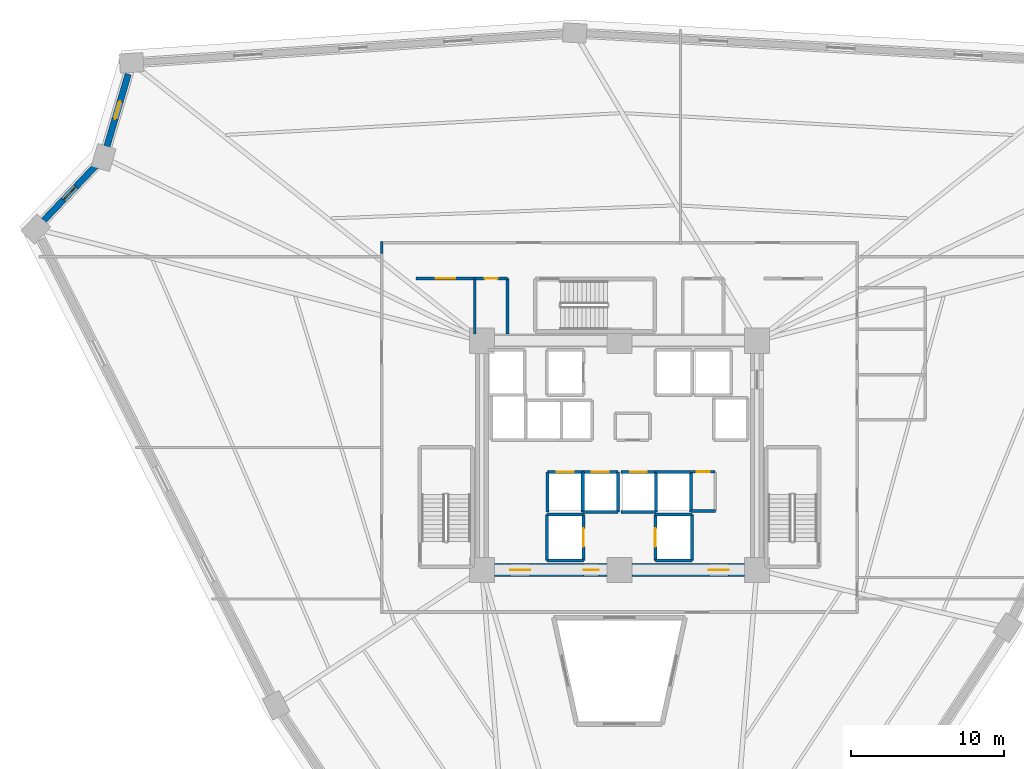
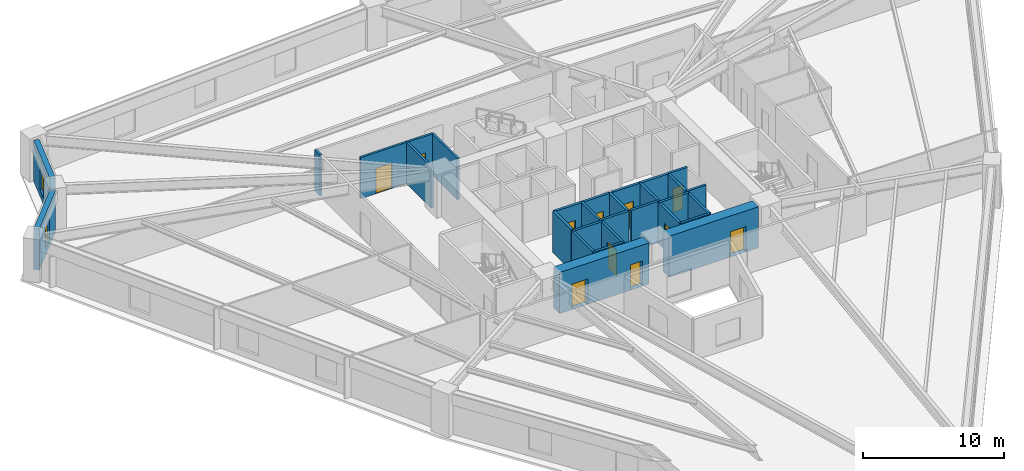
# One storey, part 4 of 8: 30 walls, 11 doors, 2 windows, 13 openings.
"""IFC4 building model written with IfcOpenShell, lengths in metres."""

from ifc_helpers import new_model, si_unit, direction, frame, frame_2d, origin, place, context, subcontext, project, spatial, rectangle, extrude, source, transform, mapped, material, layer, layer_set, type_object, element, fill, save


model = new_model("IFC4")

# Units and contexts
model_context = context("Model", 3, precision=1e-05, world=origin(), true_north=direction((0.0, 1.0)))
body_context = subcontext(model_context, "Body", "Model", "MODEL_VIEW")
ifc_project = project(units=[si_unit("LENGTHUNIT", "METRE"), si_unit("AREAUNIT", "SQUARE_METRE"), si_unit("VOLUMEUNIT", "CUBIC_METRE"), si_unit("PLANEANGLEUNIT", "RADIAN"), si_unit("MASSUNIT", "GRAM", prefix="KILO")], contexts=[model_context])

# Site, building, storey
site_placement = place(None, origin())
site = spatial("IfcSite", under=ifc_project, at=site_placement, CompositionType="ELEMENT")
building_placement = place(site_placement, origin())
building = spatial("IfcBuilding", under=site, at=building_placement, Name="Liaohun Quay Tower", CompositionType="ELEMENT")
storey_placement = place(building_placement, frame((0.0, 0.0, 63.0)))
storey = spatial("IfcBuildingStorey", under=building, at=storey_placement, Name="L16", CompositionType="ELEMENT", Elevation=63.0)

# Wall, opening, door
ifc_material_1 = material(Name="Concrete C60", Category="concrete")
ifc_layer_1 = layer(ifc_material_1, 0.85009765625, Name="Concrete C60", Category="concrete")
ifc_layer_set_1 = layer_set([ifc_layer_1], Name="Concrete C60")
wall_type_1 = type_object("IfcWallType", Name="WAL-COR-Z1", PredefinedType="SHEAR", material=ifc_layer_set_1)
wall_1_placement = place(storey_placement, frame((68.175048828125, 46.5, 0.0), z_axis=(0.0, 0.0, 1.0), x_axis=(-1.0, 0.0, 0.0)))
wall_1 = element("IfcWall", 1, at=wall_1_placement, inside=storey, type_object=wall_type_1, Name="L16 Central Core Shear Wall S-E", PredefinedType="SHEAR", context=body_context, shape_type="SweptSolid", body=[
    extrude(rectangle(XDim=7.35009765625, YDim=0.85009765625, at=frame_2d((3.675048828125, 0.0))), origin(), (0.0, 0.0, 1.0), 3.570068359375),
])
shared_shape_1 = source(origin(), body_context, "Body", "SweptSolid", [
    extrude(rectangle(XDim=1.300048828125, YDim=2.199951171875, at=frame_2d((0.64990234375, 1.10009765625))), frame((0.0, 0.43505859375, 0.0), z_axis=(0.0, -1.0, 0.0), x_axis=(1.0, 0.0, 0.0)), (0.0, 0.0, 1.0), 0.8701171875),
])
opening_1_placement = place(wall_1_placement, frame((1.02490234375, 0.0, 0.0)))
opening_1 = element("IfcOpeningElement", 2, at=opening_1_placement, cuts=wall_1, Name="Opening FD1", PredefinedType="OPENING", context=body_context, shape_type="MappedRepresentation", body=[
    mapped(shared_shape_1, transform((0.0, 0.0, 0.0), x_axis=(1.0, 0.0, 0.0), y_axis=(0.0, 1.0, 0.0), z_axis=(0.0, 0.0, 1.0), scale=1.0)),
])
ifc_material_2 = material(Name="Galvanised steel smokeproof fire door", Category="steel")
door_type_1 = type_object("IfcDoorType", Name="DOR-FFL-1300", OperationType="NOTDEFINED", PredefinedType="DOOR", material=ifc_material_2)
shared_shape_2 = source(origin(), body_context, "Body", "SweptSolid", [
    extrude(rectangle(XDim=1.300048828125, YDim=2.199951171875, at=frame_2d((0.64990234375, 1.10009765625))), frame((0.0, 0.02490234375, 0.0), z_axis=(0.0, -1.0, 0.0), x_axis=(1.0, 0.0, 0.0)), (0.0, 0.0, 1.0), 0.050048828125),
])
door_1_placement = place(opening_1_placement, origin())
door_1 = element("IfcDoor", 3, at=door_1_placement, inside=storey, type_object=door_type_1, Name="L16 East Core Lift Lobby Smokeproof Door", OperationType="SINGLE_SWING_LEFT", OverallHeight=2.199951171875, OverallWidth=1.300048828125, PredefinedType="DOOR", context=body_context, shape_type="MappedRepresentation", body=[
    mapped(shared_shape_2, transform((0.0, 0.0, 0.0), x_axis=(1.0, 0.0, 0.0), y_axis=(0.0, 1.0, 0.0), z_axis=(0.0, 0.0, 1.0), scale=1.0)),
])
fill(opening_1, door_1)

# Wall, openings, doors
wall_2_placement = place(storey_placement, frame((59.175048828125, 46.5, 0.0), z_axis=(0.0, 0.0, 1.0), x_axis=(-1.0, 0.0, 0.0)))
wall_2 = element("IfcWall", 4, at=wall_2_placement, inside=storey, type_object=wall_type_1, Name="L16 Central Core Shear Wall S-W", PredefinedType="SHEAR", context=body_context, shape_type="SweptSolid", body=[
    extrude(rectangle(XDim=7.35009765625, YDim=0.85009765625, at=frame_2d((3.675048828125, 0.0))), origin(), (0.0, 0.0, 1.0), 3.570068359375),
])
opening_2_placement = place(wall_2_placement, frame((5.02490234375, 0.0, 0.0)))
opening_2 = element("IfcOpeningElement", 5, at=opening_2_placement, cuts=wall_2, Name="Opening FD1", PredefinedType="OPENING", context=body_context, shape_type="MappedRepresentation", body=[
    mapped(shared_shape_1, transform((0.0, 0.0, 0.0), x_axis=(1.0, 0.0, 0.0), y_axis=(0.0, 1.0, 0.0), z_axis=(0.0, 0.0, 1.0), scale=1.0)),
])
shared_shape_3 = source(origin(), body_context, "Body", "SweptSolid", [
    extrude(rectangle(XDim=1.0, YDim=2.199951171875, at=frame_2d((0.5, 1.10009765625))), frame((0.0, 0.43505859375, 0.0), z_axis=(0.0, -1.0, 0.0), x_axis=(1.0, 0.0, 0.0)), (0.0, 0.0, 1.0), 0.8701171875),
])
opening_3_placement = place(wall_2_placement, frame((0.52490234375, 0.0, 0.0)))
opening_3 = element("IfcOpeningElement", 6, at=opening_3_placement, cuts=wall_2, Name="Opening FD2", PredefinedType="OPENING", context=body_context, shape_type="MappedRepresentation", body=[
    mapped(shared_shape_3, transform((0.0, 0.0, 0.0), x_axis=(1.0, 0.0, 0.0), y_axis=(0.0, 1.0, 0.0), z_axis=(0.0, 0.0, 1.0), scale=1.0)),
])
door_2_placement = place(opening_2_placement, origin())
door_2 = element("IfcDoor", 7, at=door_2_placement, inside=storey, type_object=door_type_1, Name="L16 West Core Lift Lobby Smokeproof Door", OperationType="SINGLE_SWING_RIGHT", OverallHeight=2.199951171875, OverallWidth=1.300048828125, PredefinedType="DOOR", context=body_context, shape_type="MappedRepresentation", body=[
    mapped(shared_shape_2, transform((0.0, 0.0, 0.0), x_axis=(1.0, 0.0, 0.0), y_axis=(0.0, 1.0, 0.0), z_axis=(0.0, 0.0, 1.0), scale=1.0)),
])
fill(opening_2, door_2)
ifc_material_3 = material(Name="Galvanised steel smokeproof lobby fire door", Category="steel")
door_type_2 = type_object("IfcDoorType", Name="DOR-FFL-1000", OperationType="NOTDEFINED", PredefinedType="DOOR", material=ifc_material_3)
shared_shape_4 = source(origin(), body_context, "Body", "SweptSolid", [
    extrude(rectangle(XDim=1.0, YDim=2.199951171875, at=frame_2d((0.5, 1.10009765625))), frame((0.0, 0.02490234375, 0.0), z_axis=(0.0, -1.0, 0.0), x_axis=(1.0, 0.0, 0.0)), (0.0, 0.0, 1.0), 0.050048828125),
])
door_3_placement = place(opening_3_placement, origin())
door_3 = element("IfcDoor", 8, at=door_3_placement, inside=storey, type_object=door_type_2, Name="L16 South Firefighting Lobby Smokeproof Door", OperationType="SINGLE_SWING_LEFT", OverallHeight=2.199951171875, OverallWidth=1.0, PredefinedType="DOOR", context=body_context, shape_type="MappedRepresentation", body=[
    mapped(shared_shape_4, transform((0.0, 0.0, 0.0), x_axis=(1.0, 0.0, 0.0), y_axis=(0.0, 1.0, 0.0), z_axis=(0.0, 0.0, 1.0), scale=1.0)),
])
fill(opening_3, door_3)

# Wall, opening, window
ifc_material_4 = material(Name="Precast concrete C50 insulated sandwich", Category="concrete")
ifc_layer_2 = layer(ifc_material_4, 0.419921875, Name="Precast concrete C50 insulated sandwich", Category="concrete")
ifc_layer_set_2 = layer_set([ifc_layer_2], Name="Precast concrete C50 insulated sandwich")
wall_type_2 = type_object("IfcWallType", Name="WAL-EXT-Z12", PredefinedType="SOLIDWALL", material=ifc_layer_set_2)
wall_3_placement = place(storey_placement, frame((27.85205078125, 78.950927734375, 0.0), z_axis=(0.0, 0.0, 1.0), x_axis=(-0.282877012636, -0.95915618943, 0.0)))
wall_3 = element("IfcWall", 9, at=wall_3_placement, inside=storey, type_object=wall_type_2, Name="L16 Brutalist Precast Pier Wall 08", PredefinedType="SOLIDWALL", context=body_context, shape_type="SweptSolid", body=[
    extrude(rectangle(XDim=4.927978515625, YDim=0.419921875, at=frame_2d((2.4638671875, 0.0))), origin(), (0.0, 0.0, 1.0), 3.570068359375),
])
shared_shape_5 = source(origin(), body_context, "Body", "SweptSolid", [
    extrude(rectangle(XDim=1.199951171875, YDim=1.89990234375, at=frame_2d((0.60009765625, 0.949951171875))), frame((0.0, 0.219970703125, 0.0), z_axis=(0.0, -1.0, 0.0), x_axis=(1.0, 0.0, 0.0)), (0.0, 0.0, 1.0), 0.43994140625),
])
opening_4_placement = place(wall_3_placement, frame((1.864013671875, 0.0, 0.550048828125)))
opening_4 = element("IfcOpeningElement", 10, at=opening_4_placement, cuts=wall_3, Name="Opening W05", PredefinedType="OPENING", context=body_context, shape_type="MappedRepresentation", body=[
    mapped(shared_shape_5, transform((0.0, 0.0, 0.0), x_axis=(1.0, 0.0, 0.0), y_axis=(0.0, 1.0, 0.0), z_axis=(0.0, 0.0, 1.0), scale=1.0)),
])
ifc_material_5 = material(Name="Triple Low-E corner notch glazing", Category="glass")
window_type = type_object("IfcWindowType", Name="WIN-NOTCH", PartitioningType="SINGLE_PANEL", PredefinedType="WINDOW", material=ifc_material_5)
shared_shape_6 = source(origin(), body_context, "Body", "SweptSolid", [
    extrude(rectangle(XDim=1.199951171875, YDim=1.89990234375, at=frame_2d((0.60009765625, 0.949951171875))), frame((0.0, 0.030029296875, 0.0), z_axis=(0.0, -1.0, 0.0), x_axis=(1.0, 0.0, 0.0)), (0.0, 0.0, 1.0), 0.06005859375),
])
window_1_placement = place(opening_4_placement, origin())
window_1 = element("IfcWindow", 11, at=window_1_placement, inside=storey, type_object=window_type, Name="L16 Corner Notch Window W05-08", OverallHeight=1.89990234375, OverallWidth=1.199951171875, PartitioningType="SINGLE_PANEL", PredefinedType="WINDOW", context=body_context, shape_type="MappedRepresentation", body=[
    mapped(shared_shape_6, transform((0.0, 0.0, 0.0), x_axis=(1.0, 0.0, 0.0), y_axis=(0.0, 1.0, 0.0), z_axis=(0.0, 0.0, 1.0), scale=1.0)),
])
fill(opening_4, window_1)

wall_4_placement = place(storey_placement, frame((25.715087890625, 72.93603515625, 0.0), z_axis=(0.0, 0.0, 1.0), x_axis=(-0.689226469502, -0.724545977656, 0.0)))
wall_4 = element("IfcWall", 12, at=wall_4_placement, inside=storey, type_object=wall_type_2, Name="L16 Brutalist Precast Pier Wall 09", PredefinedType="SOLIDWALL", context=body_context, shape_type="SweptSolid", body=[
    extrude(rectangle(XDim=4.921630859375, YDim=0.419921875, at=frame_2d((2.4609375, 0.0))), origin(), (0.0, 0.0, 1.0), 3.570068359375),
])
opening_5_placement = place(wall_4_placement, frame((1.861083984375, 0.0, 0.550048828125)))
opening_5 = element("IfcOpeningElement", 13, at=opening_5_placement, cuts=wall_4, Name="Opening W05", PredefinedType="OPENING", context=body_context, shape_type="MappedRepresentation", body=[
    mapped(shared_shape_5, transform((0.0, 0.0, 0.0), x_axis=(1.0, 0.0, 0.0), y_axis=(0.0, 1.0, 0.0), z_axis=(0.0, 0.0, 1.0), scale=1.0)),
])
window_2_placement = place(opening_5_placement, origin())
window_2 = element("IfcWindow", 14, at=window_2_placement, inside=storey, type_object=window_type, Name="L16 Corner Notch Window W05-09", OverallHeight=1.89990234375, OverallWidth=1.199951171875, PartitioningType="SINGLE_PANEL", PredefinedType="WINDOW", context=body_context, shape_type="MappedRepresentation", body=[
    mapped(shared_shape_6, transform((0.0, 0.0, 0.0), x_axis=(1.0, 0.0, 0.0), y_axis=(0.0, 1.0, 0.0), z_axis=(0.0, 0.0, 1.0), scale=1.0)),
])
fill(opening_5, window_2)

# Wall, opening, door
ifc_material_6 = material(Name="Autoclaved aerated concrete blockwork", Category="masonry")
ifc_layer_3 = layer(ifc_material_6, 0.179931640625, Name="Autoclaved aerated concrete blockwork", Category="masonry")
ifc_layer_set_3 = layer_set([ifc_layer_3], Name="Autoclaved aerated concrete blockwork")
wall_type_3 = type_object("IfcWallType", Name="WAL-PRT-COR", PredefinedType="PARTITIONING", material=ifc_layer_set_3)
wall_5_placement = place(storey_placement, frame((64.719970703125, 52.919921875, 0.0), z_axis=(0.0, 0.0, 1.0), x_axis=(1.0, 0.0, 0.0)))
wall_5 = element("IfcWall", 15, at=wall_5_placement, inside=storey, type_object=wall_type_3, Name="L16 Interior Partition Wall 002", PredefinedType="PARTITIONING", context=body_context, shape_type="SweptSolid", body=[
    extrude(rectangle(XDim=1.530029296875, YDim=0.179931640625, at=frame_2d((0.76513671875, 0.0))), origin(), (0.0, 0.0, 1.0), 3.570068359375),
])
shared_shape_7 = source(origin(), body_context, "Body", "SweptSolid", [
    extrude(rectangle(XDim=0.85009765625, YDim=2.10009765625, at=frame_2d((0.425048828125, 1.050048828125))), frame((0.0, 0.099853515625, 0.0), z_axis=(0.0, -1.0, 0.0), x_axis=(1.0, 0.0, 0.0)), (0.0, 0.0, 1.0), 0.199951171875),
])
opening_6_placement = place(wall_5_placement, frame((0.340087890625, 0.0, 0.0)))
opening_6 = element("IfcOpeningElement", 16, at=opening_6_placement, cuts=wall_5, Name="Opening AD1", PredefinedType="OPENING", context=body_context, shape_type="MappedRepresentation", body=[
    mapped(shared_shape_7, transform((0.0, 0.0, 0.0), x_axis=(1.0, 0.0, 0.0), y_axis=(0.0, 1.0, 0.0), z_axis=(0.0, 0.0, 1.0), scale=1.0)),
])
ifc_material_7 = material(Name="Steel riser inspection fire door", Category="steel")
door_type_3 = type_object("IfcDoorType", Name="DOR-SHF-850", OperationType="NOTDEFINED", PredefinedType="DOOR", material=ifc_material_7)
shared_shape_8 = source(origin(), body_context, "Body", "SweptSolid", [
    extrude(rectangle(XDim=0.85009765625, YDim=2.10009765625, at=frame_2d((0.425048828125, 1.050048828125))), frame((0.0, 0.02490234375, 0.0), z_axis=(0.0, -1.0, 0.0), x_axis=(1.0, 0.0, 0.0)), (0.0, 0.0, 1.0), 0.050048828125),
])
door_4_placement = place(opening_6_placement, origin())
door_4 = element("IfcDoor", 17, at=door_4_placement, inside=storey, type_object=door_type_3, Name="L16 BMS Data Riser Room Door", OperationType="SINGLE_SWING_RIGHT", OverallHeight=2.10009765625, OverallWidth=0.85009765625, PredefinedType="DOOR", context=body_context, shape_type="MappedRepresentation", body=[
    mapped(shared_shape_8, transform((0.0, 0.0, 0.0), x_axis=(1.0, 0.0, 0.0), y_axis=(0.0, 1.0, 0.0), z_axis=(0.0, 0.0, 1.0), scale=1.0)),
])
fill(opening_6, door_4)

wall_6_placement = place(storey_placement, frame((50.5400390625, 65.580078125, 0.0), z_axis=(0.0, 0.0, 1.0), x_axis=(1.0, 0.0, 0.0)))
wall_6 = element("IfcWall", 18, at=wall_6_placement, inside=storey, type_object=wall_type_3, Name="L16 Interior Partition Wall 006", PredefinedType="PARTITIONING", context=body_context, shape_type="SweptSolid", body=[
    extrude(rectangle(XDim=2.139892578125, YDim=0.179931640625, at=frame_2d((1.06982421875, 0.0))), origin(), (0.0, 0.0, 1.0), 3.570068359375),
])
opening_7_placement = place(wall_6_placement, frame((0.64501953125, 0.0, 0.0)))
opening_7 = element("IfcOpeningElement", 19, at=opening_7_placement, cuts=wall_6, Name="Opening AD1", PredefinedType="OPENING", context=body_context, shape_type="MappedRepresentation", body=[
    mapped(shared_shape_7, transform((0.0, 0.0, 0.0), x_axis=(1.0, 0.0, 0.0), y_axis=(0.0, 1.0, 0.0), z_axis=(0.0, 0.0, 1.0), scale=1.0)),
])
door_5_placement = place(opening_7_placement, origin())
door_5 = element("IfcDoor", 20, at=door_5_placement, inside=storey, type_object=door_type_3, Name="L16 North-West Supply Store Door", OperationType="SINGLE_SWING_RIGHT", OverallHeight=2.10009765625, OverallWidth=0.85009765625, PredefinedType="DOOR", context=body_context, shape_type="MappedRepresentation", body=[
    mapped(shared_shape_8, transform((0.0, 0.0, 0.0), x_axis=(1.0, 0.0, 0.0), y_axis=(0.0, 1.0, 0.0), z_axis=(0.0, 0.0, 1.0), scale=1.0)),
])
fill(opening_7, door_5)

wall_7_placement = place(storey_placement, frame((46.699951171875, 65.580078125, 0.0), z_axis=(0.0, 0.0, 1.0), x_axis=(1.0, 0.0, 0.0)))
wall_7 = element("IfcWall", 21, at=wall_7_placement, inside=storey, type_object=wall_type_3, Name="L16 Interior Partition Wall 008", PredefinedType="PARTITIONING", context=body_context, shape_type="SweptSolid", body=[
    extrude(rectangle(XDim=3.840087890625, YDim=0.179931640625, at=frame_2d((1.919921875, 0.0))), origin(), (0.0, 0.0, 1.0), 3.570068359375),
])
shared_shape_9 = source(origin(), body_context, "Body", "SweptSolid", [
    extrude(rectangle(XDim=1.300048828125, YDim=2.199951171875, at=frame_2d((0.64990234375, 1.10009765625))), frame((0.0, 0.099853515625, 0.0), z_axis=(0.0, -1.0, 0.0), x_axis=(1.0, 0.0, 0.0)), (0.0, 0.0, 1.0), 0.199951171875),
])
opening_8_placement = place(wall_7_placement, frame((1.27001953125, 0.0, 0.0)))
opening_8 = element("IfcOpeningElement", 22, at=opening_8_placement, cuts=wall_7, Name="Opening FD1", PredefinedType="OPENING", context=body_context, shape_type="MappedRepresentation", body=[
    mapped(shared_shape_9, transform((0.0, 0.0, 0.0), x_axis=(1.0, 0.0, 0.0), y_axis=(0.0, 1.0, 0.0), z_axis=(0.0, 0.0, 1.0), scale=1.0)),
])
door_6_placement = place(opening_8_placement, origin())
door_6 = element("IfcDoor", 23, at=door_6_placement, inside=storey, type_object=door_type_1, Name="L16 West Core Vestibule Door", OperationType="SINGLE_SWING_RIGHT", OverallHeight=2.199951171875, OverallWidth=1.300048828125, PredefinedType="DOOR", context=body_context, shape_type="MappedRepresentation", body=[
    mapped(shared_shape_2, transform((0.0, 0.0, 0.0), x_axis=(1.0, 0.0, 0.0), y_axis=(0.0, 1.0, 0.0), z_axis=(0.0, 0.0, 1.0), scale=1.0)),
])
fill(opening_8, door_6)

# Walls
wall_8_placement = place(storey_placement, frame((64.68994140625, 50.35009765625, 0.0), z_axis=(0.0, 0.0, 1.0), x_axis=(1.0, 0.0, 0.0)))
element("IfcWall", 24, at=wall_8_placement, inside=storey, type_object=wall_type_3, Name="L16 Interior Partition Wall 020", PredefinedType="PARTITIONING", context=body_context, shape_type="SweptSolid", body=[
    extrude(rectangle(XDim=1.590087890625, YDim=0.179931640625, at=frame_2d((0.794921875, 0.0))), origin(), (0.0, 0.0, 1.0), 3.570068359375),
])
for number, where, z_axis, x_axis, name in (
    (25, (50.5400390625, 61.949951171875, 0.0), (0.0, 0.0, 1.0), (0.0, 1.0, 0.0), "L16 Interior Partition Wall 027"),
    (26, (52.679931640625, 61.949951171875, 0.0), (0.0, 0.0, 1.0), (0.0, 1.0, 0.0), "L16 Interior Partition Wall 028"),
):
    element("IfcWall", number, at=place(storey_placement, frame(where, z_axis=z_axis, x_axis=x_axis)), inside=storey, type_object=wall_type_3, Name=name, PredefinedType="PARTITIONING", context=body_context, shape_type="SweptSolid", body=[
        extrude(rectangle(XDim=3.630126953125, YDim=0.179931640625, at=frame_2d((1.81494140625, 0.0))), origin(), (0.0, 0.0, 1.0), 3.570068359375),
    ])
wall_9_placement = place(storey_placement, frame((44.43994140625, 67.215087890625, 0.0), z_axis=(0.0, 0.0, 1.0), x_axis=(0.0, 1.0, 0.0)))
element("IfcWall", 27, at=wall_9_placement, inside=storey, type_object=wall_type_3, Name="L16 Interior Partition Wall 033", PredefinedType="PARTITIONING", context=body_context, shape_type="SweptSolid", body=[
    extrude(rectangle(XDim=0.764892578125, YDim=0.179931640625, at=frame_2d((0.38232421875, 0.0))), origin(), (0.0, 0.0, 1.0), 3.570068359375),
])
ifc_material_8 = material(Name="Concrete C50", Category="concrete")
ifc_layer_4 = layer(ifc_material_8, 0.239990234375, Name="Concrete C50", Category="concrete")
ifc_layer_set_4 = layer_set([ifc_layer_4], Name="Concrete C50")
wall_type_4 = type_object("IfcWallType", Name="WAL-SHF-200", PredefinedType="SOLIDWALL", material=ifc_layer_set_4)
wall_10_placement = place(storey_placement, frame((55.25, 47.1201171875, 0.0), z_axis=(0.0, 0.0, 1.0), x_axis=(1.0, 0.0, 0.0)))
element("IfcWall", 28, at=wall_10_placement, inside=storey, type_object=wall_type_4, Name="L16 Lift FF-01 Hoistway Wall S", PredefinedType="SOLIDWALL", context=body_context, shape_type="SweptSolid", body=[
    extrude(rectangle(XDim=2.39990234375, YDim=0.199951171875, at=frame_2d((1.199951171875, 0.0))), origin(), (0.0, 0.0, 1.0), 3.570068359375),
])

# Wall, opening, door
wall_11_placement = place(storey_placement, frame((57.64990234375, 47.1201171875, 0.0), z_axis=(0.0, 0.0, 1.0), x_axis=(0.0, 1.0, 0.0)))
wall_11 = element("IfcWall", 29, at=wall_11_placement, inside=storey, type_object=wall_type_4, Name="L16 Lift FF-01 Hoistway Wall E", PredefinedType="SOLIDWALL", context=body_context, shape_type="SweptSolid", body=[
    extrude(rectangle(XDim=3.0, YDim=0.199951171875, at=frame_2d((1.5, 0.0))), origin(), (0.0, 0.0, 1.0), 3.570068359375),
])
shared_shape_10 = source(origin(), body_context, "Body", "SweptSolid", [
    extrude(rectangle(XDim=1.199951171875, YDim=2.300048828125, at=frame_2d((0.60009765625, 1.14990234375))), frame((0.0, 0.10986328125, 0.0), z_axis=(0.0, -1.0, 0.0), x_axis=(1.0, 0.0, 0.0)), (0.0, 0.0, 1.0), 0.219970703125),
])
opening_9_placement = place(wall_11_placement, frame((0.89990234375, 0.0, 0.0)))
opening_9 = element("IfcOpeningElement", 30, at=opening_9_placement, cuts=wall_11, Name="Opening LD2", PredefinedType="OPENING", context=body_context, shape_type="MappedRepresentation", body=[
    mapped(shared_shape_10, transform((0.0, 0.0, 0.0), x_axis=(1.0, 0.0, 0.0), y_axis=(0.0, 1.0, 0.0), z_axis=(0.0, 0.0, 1.0), scale=1.0)),
])
ifc_material_9 = material(Name="Brushed stainless steel stretcher landing door", Category="steel")
door_type_4 = type_object("IfcDoorType", Name="DOR-LFT-1200", OperationType="SLIDING_TO_LEFT", PredefinedType="DOOR", material=ifc_material_9)
shared_shape_11 = source(origin(), body_context, "Body", "SweptSolid", [
    extrude(rectangle(XDim=1.199951171875, YDim=2.300048828125, at=frame_2d((0.60009765625, 1.14990234375))), frame((0.0, 0.02490234375, 0.0), z_axis=(0.0, -1.0, 0.0), x_axis=(1.0, 0.0, 0.0)), (0.0, 0.0, 1.0), 0.050048828125),
])
door_7_placement = place(opening_9_placement, origin())
door_7 = element("IfcDoor", 31, at=door_7_placement, inside=storey, type_object=door_type_4, Name="L16 Lift FF-01 Sliding Landing Door", OperationType="SLIDING_TO_LEFT", OverallHeight=2.300048828125, OverallWidth=1.199951171875, PredefinedType="DOOR", context=body_context, shape_type="MappedRepresentation", body=[
    mapped(shared_shape_11, transform((0.0, 0.0, 0.0), x_axis=(1.0, 0.0, 0.0), y_axis=(0.0, 1.0, 0.0), z_axis=(0.0, 0.0, 1.0), scale=1.0)),
])
fill(opening_9, door_7)

# Walls
wall_12_placement = place(storey_placement, frame((57.64990234375, 50.1201171875, 0.0), z_axis=(0.0, 0.0, 1.0), x_axis=(-1.0, 0.0, 0.0)))
element("IfcWall", 32, at=wall_12_placement, inside=storey, type_object=wall_type_4, Name="L16 Lift FF-01 Hoistway Wall N", PredefinedType="SOLIDWALL", context=body_context, shape_type="SweptSolid", body=[
    extrude(rectangle(XDim=2.39990234375, YDim=0.199951171875, at=frame_2d((1.199951171875, 0.0))), origin(), (0.0, 0.0, 1.0), 3.570068359375),
])
wall_13_placement = place(storey_placement, frame((55.25, 50.1201171875, 0.0), z_axis=(0.0, 0.0, 1.0), x_axis=(0.0, -1.0, 0.0)))
element("IfcWall", 33, at=wall_13_placement, inside=storey, type_object=wall_type_4, Name="L16 Lift FF-01 Hoistway Wall W", PredefinedType="SOLIDWALL", context=body_context, shape_type="SweptSolid", body=[
    extrude(rectangle(XDim=3.0, YDim=0.199951171875, at=frame_2d((1.5, 0.0))), origin(), (0.0, 0.0, 1.0), 3.570068359375),
])
wall_14_placement = place(storey_placement, frame((62.35009765625, 47.1201171875, 0.0), z_axis=(0.0, 0.0, 1.0), x_axis=(1.0, 0.0, 0.0)))
element("IfcWall", 34, at=wall_14_placement, inside=storey, type_object=wall_type_4, Name="L16 Lift FF-02 Hoistway Wall S", PredefinedType="SOLIDWALL", context=body_context, shape_type="SweptSolid", body=[
    extrude(rectangle(XDim=2.39990234375, YDim=0.199951171875, at=frame_2d((1.199951171875, 0.0))), origin(), (0.0, 0.0, 1.0), 3.570068359375),
])
wall_15_placement = place(storey_placement, frame((64.75, 47.1201171875, 0.0), z_axis=(0.0, 0.0, 1.0), x_axis=(0.0, 1.0, 0.0)))
element("IfcWall", 35, at=wall_15_placement, inside=storey, type_object=wall_type_4, Name="L16 Lift FF-02 Hoistway Wall E", PredefinedType="SOLIDWALL", context=body_context, shape_type="SweptSolid", body=[
    extrude(rectangle(XDim=3.0, YDim=0.199951171875, at=frame_2d((1.5, 0.0))), origin(), (0.0, 0.0, 1.0), 3.570068359375),
])
wall_16_placement = place(storey_placement, frame((64.75, 50.1201171875, 0.0), z_axis=(0.0, 0.0, 1.0), x_axis=(-1.0, 0.0, 0.0)))
element("IfcWall", 36, at=wall_16_placement, inside=storey, type_object=wall_type_4, Name="L16 Lift FF-02 Hoistway Wall N", PredefinedType="SOLIDWALL", context=body_context, shape_type="SweptSolid", body=[
    extrude(rectangle(XDim=2.39990234375, YDim=0.199951171875, at=frame_2d((1.199951171875, 0.0))), origin(), (0.0, 0.0, 1.0), 3.570068359375),
])

# Wall, opening, door
wall_17_placement = place(storey_placement, frame((62.35009765625, 50.1201171875, 0.0), z_axis=(0.0, 0.0, 1.0), x_axis=(0.0, -1.0, 0.0)))
wall_17 = element("IfcWall", 37, at=wall_17_placement, inside=storey, type_object=wall_type_4, Name="L16 Lift FF-02 Hoistway Wall W", PredefinedType="SOLIDWALL", context=body_context, shape_type="SweptSolid", body=[
    extrude(rectangle(XDim=3.0, YDim=0.199951171875, at=frame_2d((1.5, 0.0))), origin(), (0.0, 0.0, 1.0), 3.570068359375),
])
opening_10_placement = place(wall_17_placement, frame((0.89990234375, 0.0, 0.0)))
opening_10 = element("IfcOpeningElement", 38, at=opening_10_placement, cuts=wall_17, Name="Opening LD2", PredefinedType="OPENING", context=body_context, shape_type="MappedRepresentation", body=[
    mapped(shared_shape_10, transform((0.0, 0.0, 0.0), x_axis=(1.0, 0.0, 0.0), y_axis=(0.0, 1.0, 0.0), z_axis=(0.0, 0.0, 1.0), scale=1.0)),
])
door_8_placement = place(opening_10_placement, origin())
door_8 = element("IfcDoor", 39, at=door_8_placement, inside=storey, type_object=door_type_4, Name="L16 Lift FF-02 Sliding Landing Door", OperationType="SLIDING_TO_LEFT", OverallHeight=2.300048828125, OverallWidth=1.199951171875, PredefinedType="DOOR", context=body_context, shape_type="MappedRepresentation", body=[
    mapped(shared_shape_11, transform((0.0, 0.0, 0.0), x_axis=(1.0, 0.0, 0.0), y_axis=(0.0, 1.0, 0.0), z_axis=(0.0, 0.0, 1.0), scale=1.0)),
])
fill(opening_10, door_8)

# Wall
wall_18_placement = place(storey_placement, frame((57.60009765625, 50.300048828125, 0.0), z_axis=(0.0, 0.0, 1.0), x_axis=(0.0, 1.0, 0.0)))
element("IfcWall", 40, at=wall_18_placement, inside=storey, type_object=wall_type_4, Name="L16 Lift PL-1A Hoistway Wall E", PredefinedType="SOLIDWALL", context=body_context, shape_type="SweptSolid", body=[
    extrude(rectangle(XDim=2.599853515625, YDim=0.199951171875, at=frame_2d((1.2998046875, 0.0))), origin(), (0.0, 0.0, 1.0), 3.570068359375),
])

# Wall, opening, door
wall_19_placement = place(storey_placement, frame((57.60009765625, 52.89990234375, 0.0), z_axis=(0.0, 0.0, 1.0), x_axis=(-1.0, 0.0, 0.0)))
wall_19 = element("IfcWall", 41, at=wall_19_placement, inside=storey, type_object=wall_type_4, Name="L16 Lift PL-1A Hoistway Wall N", PredefinedType="SOLIDWALL", context=body_context, shape_type="SweptSolid", body=[
    extrude(rectangle(XDim=2.300048828125, YDim=0.199951171875, at=frame_2d((1.14990234375, 0.0))), origin(), (0.0, 0.0, 1.0), 3.570068359375),
])
shared_shape_12 = source(origin(), body_context, "Body", "SweptSolid", [
    extrude(rectangle(XDim=1.10009765625, YDim=2.199951171875, at=frame_2d((0.550048828125, 1.10009765625))), frame((0.0, 0.10986328125, 0.0), z_axis=(0.0, -1.0, 0.0), x_axis=(1.0, 0.0, 0.0)), (0.0, 0.0, 1.0), 0.219970703125),
])
opening_11_placement = place(wall_19_placement, frame((0.60009765625, 0.0, 0.0)))
opening_11 = element("IfcOpeningElement", 42, at=opening_11_placement, cuts=wall_19, Name="Opening LD1", PredefinedType="OPENING", context=body_context, shape_type="MappedRepresentation", body=[
    mapped(shared_shape_12, transform((0.0, 0.0, 0.0), x_axis=(1.0, 0.0, 0.0), y_axis=(0.0, 1.0, 0.0), z_axis=(0.0, 0.0, 1.0), scale=1.0)),
])
ifc_material_10 = material(Name="Brushed stainless steel landing door", Category="steel")
door_type_5 = type_object("IfcDoorType", Name="DOR-LFT-1100", OperationType="SLIDING_TO_LEFT", PredefinedType="DOOR", material=ifc_material_10)
shared_shape_13 = source(origin(), body_context, "Body", "SweptSolid", [
    extrude(rectangle(XDim=1.10009765625, YDim=2.199951171875, at=frame_2d((0.550048828125, 1.10009765625))), frame((0.0, 0.02490234375, 0.0), z_axis=(0.0, -1.0, 0.0), x_axis=(1.0, 0.0, 0.0)), (0.0, 0.0, 1.0), 0.050048828125),
])
door_9_placement = place(opening_11_placement, origin())
door_9 = element("IfcDoor", 43, at=door_9_placement, inside=storey, type_object=door_type_5, Name="L16 Lift PL-1A Sliding Landing Door", OperationType="SLIDING_TO_LEFT", OverallHeight=2.199951171875, OverallWidth=1.10009765625, PredefinedType="DOOR", context=body_context, shape_type="MappedRepresentation", body=[
    mapped(shared_shape_13, transform((0.0, 0.0, 0.0), x_axis=(1.0, 0.0, 0.0), y_axis=(0.0, 1.0, 0.0), z_axis=(0.0, 0.0, 1.0), scale=1.0)),
])
fill(opening_11, door_9)

# Walls
wall_20_placement = place(storey_placement, frame((55.300048828125, 52.89990234375, 0.0), z_axis=(0.0, 0.0, 1.0), x_axis=(0.0, -1.0, 0.0)))
element("IfcWall", 44, at=wall_20_placement, inside=storey, type_object=wall_type_4, Name="L16 Lift PL-1A Hoistway Wall W", PredefinedType="SOLIDWALL", context=body_context, shape_type="SweptSolid", body=[
    extrude(rectangle(XDim=2.599853515625, YDim=0.199951171875, at=frame_2d((1.2998046875, 0.0))), origin(), (0.0, 0.0, 1.0), 3.570068359375),
])
wall_21_placement = place(storey_placement, frame((57.60009765625, 50.300048828125, 0.0), z_axis=(0.0, 0.0, 1.0), x_axis=(1.0, 0.0, 0.0)))
element("IfcWall", 45, at=wall_21_placement, inside=storey, type_object=wall_type_4, Name="L16 Lift PL-1B Hoistway Wall S", PredefinedType="SOLIDWALL", context=body_context, shape_type="SweptSolid", body=[
    extrude(rectangle(XDim=2.2998046875, YDim=0.199951171875, at=frame_2d((1.14990234375, 0.0))), origin(), (0.0, 0.0, 1.0), 3.570068359375),
])
wall_22_placement = place(storey_placement, frame((59.89990234375, 50.300048828125, 0.0), z_axis=(0.0, 0.0, 1.0), x_axis=(0.0, 1.0, 0.0)))
element("IfcWall", 46, at=wall_22_placement, inside=storey, type_object=wall_type_4, Name="L16 Lift PL-1B Hoistway Wall E", PredefinedType="SOLIDWALL", context=body_context, shape_type="SweptSolid", body=[
    extrude(rectangle(XDim=2.599853515625, YDim=0.199951171875, at=frame_2d((1.2998046875, 0.0))), origin(), (0.0, 0.0, 1.0), 3.570068359375),
])

# Wall, opening, door
wall_23_placement = place(storey_placement, frame((59.89990234375, 52.89990234375, 0.0), z_axis=(0.0, 0.0, 1.0), x_axis=(-1.0, 0.0, 0.0)))
wall_23 = element("IfcWall", 47, at=wall_23_placement, inside=storey, type_object=wall_type_4, Name="L16 Lift PL-1B Hoistway Wall N", PredefinedType="SOLIDWALL", context=body_context, shape_type="SweptSolid", body=[
    extrude(rectangle(XDim=2.2998046875, YDim=0.199951171875, at=frame_2d((1.14990234375, 0.0))), origin(), (0.0, 0.0, 1.0), 3.570068359375),
])
opening_12_placement = place(wall_23_placement, frame((0.60009765625, 0.0, 0.0)))
opening_12 = element("IfcOpeningElement", 48, at=opening_12_placement, cuts=wall_23, Name="Opening LD1", PredefinedType="OPENING", context=body_context, shape_type="MappedRepresentation", body=[
    mapped(shared_shape_12, transform((0.0, 0.0, 0.0), x_axis=(1.0, 0.0, 0.0), y_axis=(0.0, 1.0, 0.0), z_axis=(0.0, 0.0, 1.0), scale=1.0)),
])
door_10_placement = place(opening_12_placement, origin())
door_10 = element("IfcDoor", 49, at=door_10_placement, inside=storey, type_object=door_type_5, Name="L16 Lift PL-1B Sliding Landing Door", OperationType="SLIDING_TO_LEFT", OverallHeight=2.199951171875, OverallWidth=1.10009765625, PredefinedType="DOOR", context=body_context, shape_type="MappedRepresentation", body=[
    mapped(shared_shape_13, transform((0.0, 0.0, 0.0), x_axis=(1.0, 0.0, 0.0), y_axis=(0.0, 1.0, 0.0), z_axis=(0.0, 0.0, 1.0), scale=1.0)),
])
fill(opening_12, door_10)

# Walls
wall_24_placement = place(storey_placement, frame((60.10009765625, 50.300048828125, 0.0), z_axis=(0.0, 0.0, 1.0), x_axis=(1.0, 0.0, 0.0)))
element("IfcWall", 50, at=wall_24_placement, inside=storey, type_object=wall_type_4, Name="L16 Lift PL-1C Hoistway Wall S", PredefinedType="SOLIDWALL", context=body_context, shape_type="SweptSolid", body=[
    extrude(rectangle(XDim=2.2998046875, YDim=0.199951171875, at=frame_2d((1.14990234375, 0.0))), origin(), (0.0, 0.0, 1.0), 3.570068359375),
])
wall_25_placement = place(storey_placement, frame((62.39990234375, 50.300048828125, 0.0), z_axis=(0.0, 0.0, 1.0), x_axis=(0.0, 1.0, 0.0)))
element("IfcWall", 51, at=wall_25_placement, inside=storey, type_object=wall_type_4, Name="L16 Lift PL-1C Hoistway Wall E", PredefinedType="SOLIDWALL", context=body_context, shape_type="SweptSolid", body=[
    extrude(rectangle(XDim=2.599853515625, YDim=0.199951171875, at=frame_2d((1.2998046875, 0.0))), origin(), (0.0, 0.0, 1.0), 3.570068359375),
])

# Wall, opening, door
wall_26_placement = place(storey_placement, frame((62.39990234375, 52.89990234375, 0.0), z_axis=(0.0, 0.0, 1.0), x_axis=(-1.0, 0.0, 0.0)))
wall_26 = element("IfcWall", 52, at=wall_26_placement, inside=storey, type_object=wall_type_4, Name="L16 Lift PL-1C Hoistway Wall N", PredefinedType="SOLIDWALL", context=body_context, shape_type="SweptSolid", body=[
    extrude(rectangle(XDim=2.2998046875, YDim=0.199951171875, at=frame_2d((1.14990234375, 0.0))), origin(), (0.0, 0.0, 1.0), 3.570068359375),
])
opening_13_placement = place(wall_26_placement, frame((0.60009765625, 0.0, 0.0)))
opening_13 = element("IfcOpeningElement", 53, at=opening_13_placement, cuts=wall_26, Name="Opening LD1", PredefinedType="OPENING", context=body_context, shape_type="MappedRepresentation", body=[
    mapped(shared_shape_12, transform((0.0, 0.0, 0.0), x_axis=(1.0, 0.0, 0.0), y_axis=(0.0, 1.0, 0.0), z_axis=(0.0, 0.0, 1.0), scale=1.0)),
])
door_11_placement = place(opening_13_placement, origin())
door_11 = element("IfcDoor", 54, at=door_11_placement, inside=storey, type_object=door_type_5, Name="L16 Lift PL-1C Sliding Landing Door", OperationType="SLIDING_TO_LEFT", OverallHeight=2.199951171875, OverallWidth=1.10009765625, PredefinedType="DOOR", context=body_context, shape_type="MappedRepresentation", body=[
    mapped(shared_shape_13, transform((0.0, 0.0, 0.0), x_axis=(1.0, 0.0, 0.0), y_axis=(0.0, 1.0, 0.0), z_axis=(0.0, 0.0, 1.0), scale=1.0)),
])
fill(opening_13, door_11)

# Walls
wall_27_placement = place(storey_placement, frame((64.699951171875, 50.300048828125, 0.0), z_axis=(0.0, 0.0, 1.0), x_axis=(0.0, 1.0, 0.0)))
element("IfcWall", 55, at=wall_27_placement, inside=storey, type_object=wall_type_4, Name="L16 Lift PL-2A Hoistway Wall E", PredefinedType="SOLIDWALL", context=body_context, shape_type="SweptSolid", body=[
    extrude(rectangle(XDim=2.599853515625, YDim=0.199951171875, at=frame_2d((1.2998046875, 0.0))), origin(), (0.0, 0.0, 1.0), 3.570068359375),
])
wall_28_placement = place(storey_placement, frame((64.699951171875, 52.89990234375, 0.0), z_axis=(0.0, 0.0, 1.0), x_axis=(-1.0, 0.0, 0.0)))
element("IfcWall", 56, at=wall_28_placement, inside=storey, type_object=wall_type_4, Name="L16 Lift PL-2A Hoistway Wall N", PredefinedType="SOLIDWALL", context=body_context, shape_type="SweptSolid", body=[
    extrude(rectangle(XDim=2.300048828125, YDim=0.199951171875, at=frame_2d((1.14990234375, 0.0))), origin(), (0.0, 0.0, 1.0), 3.570068359375),
])

save(model, "model.ifc")
